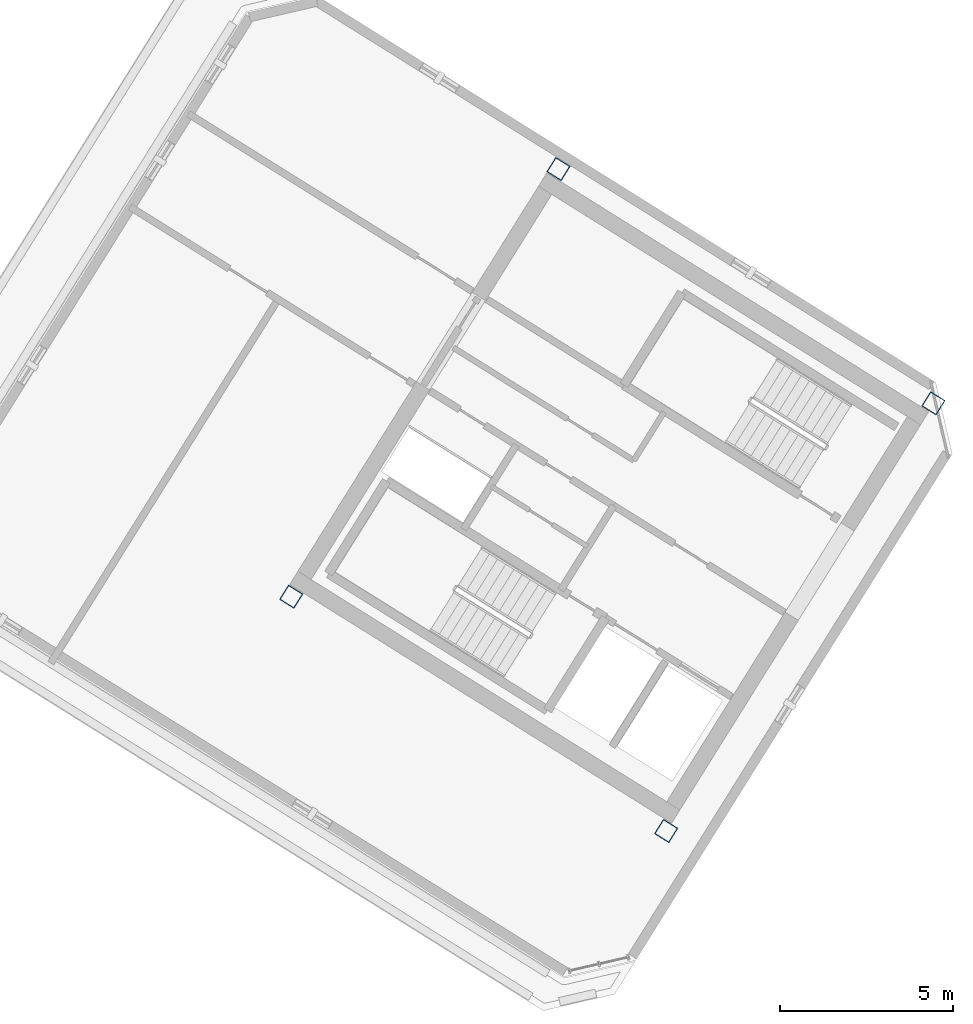
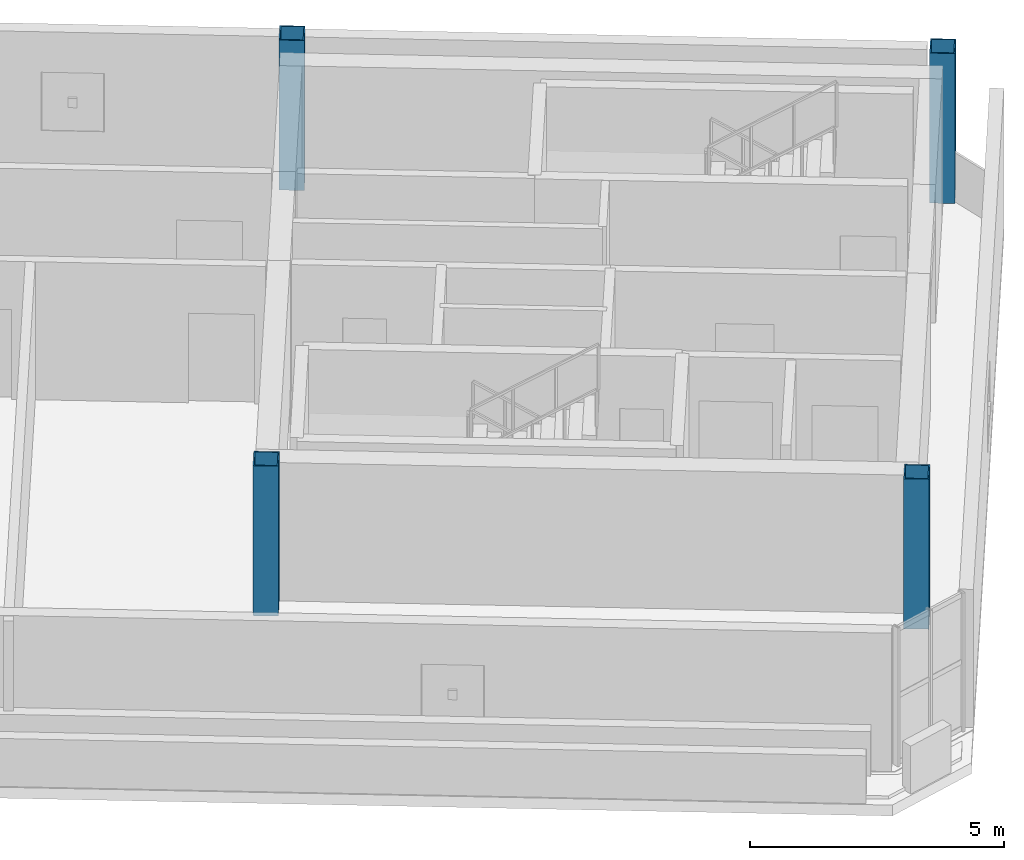
# One storey, part 1 of 8: 4 columns.
"""IFC4 building model written with IfcOpenShell, lengths in metres."""

from ifc_helpers import new_model, si_unit, direction, frame, origin, origin_2d, place, context, subcontext, project, spatial, hollow_rectangle, extrude, source, transform, mapped, material, material_profile, profile_set, type_object, element, save


model = new_model("IFC4")

# Units and contexts
model_context = context("Model", 3, precision=1e-05, world=origin(), true_north=direction((0.0, 1.0)))
body_context = subcontext(model_context, "Body", "Model", "MODEL_VIEW")
ifc_project = project(units=[si_unit("LENGTHUNIT", "METRE"), si_unit("AREAUNIT", "SQUARE_METRE"), si_unit("VOLUMEUNIT", "CUBIC_METRE"), si_unit("PLANEANGLEUNIT", "RADIAN"), si_unit("MASSUNIT", "GRAM", prefix="KILO")], contexts=[model_context])

# Site, building, storey
site_placement = place(None, origin())
site = spatial("IfcSite", under=ifc_project, at=site_placement, CompositionType="ELEMENT")
building_placement = place(site_placement, origin())
building = spatial("IfcBuilding", under=site, at=building_placement, Name="Tlacorven Tower", CompositionType="ELEMENT")
storey_placement = place(building_placement, frame((0.0, 0.0, 302.39990234375)))
storey = spatial("IfcBuildingStorey", under=building, at=storey_placement, Name="L77", CompositionType="ELEMENT", Elevation=302.39990234375)

# Columns
ifc_material = material(Name="Steel S355J2", Category="steel")
ifc_material_profile = material_profile(ifc_material, hollow_rectangle(XDim=0.5, YDim=0.5, WallThickness=0.02490234375, at=origin_2d()), Name="BOX 500X500X25")
ifc_profile_set = profile_set([ifc_material_profile], Name="Steel S355J2")
column_type = type_object("IfcColumnType", Name="COL-CRN-01", PredefinedType="COLUMN", material=ifc_profile_set)
shared_shape = source(origin(), body_context, "Body", "SweptSolid", [
    extrude(hollow_rectangle(XDim=0.5, YDim=0.5, WallThickness=0.02490234375, at=origin_2d()), origin(), (0.0, 0.0, 1.0), 3.60009765625),
])
for number, where, z_axis, x_axis, name in (
    (1, (40.782958984375, 24.468505859375, 0.0), (0.0, 0.0, 1.0), (-0.848048096156, 0.529919264233, 0.0), "L77 column COL-L77-CR11"),
    (2, (33.046142578125, 12.0869140625, 0.0), (0.0, 0.0, 1.0), (-0.848048096156, 0.529919264233, 0.0), "L77 column COL-L77-CR12"),
    (3, (29.927978515625, 31.25146484375, 0.0), (0.0, 0.0, 1.0), (-0.848048096156, 0.529919264233, 0.0), "L77 column COL-L77-CR21"),
    (4, (22.191162109375, 18.869873046875, 0.0), (0.0, 0.0, 1.0), (-0.848048096156, 0.529919264233, 0.0), "L77 column COL-L77-CR22"),
):
    element("IfcColumn", number, at=place(storey_placement, frame(where, z_axis=z_axis, x_axis=x_axis)), inside=storey, type_object=column_type, Name=name, PredefinedType="COLUMN", context=body_context, shape_type="MappedRepresentation", body=[
        mapped(shared_shape, transform((0.0, 0.0, 0.0), scale=1.0)),
    ])

save(model, "model.ifc")
